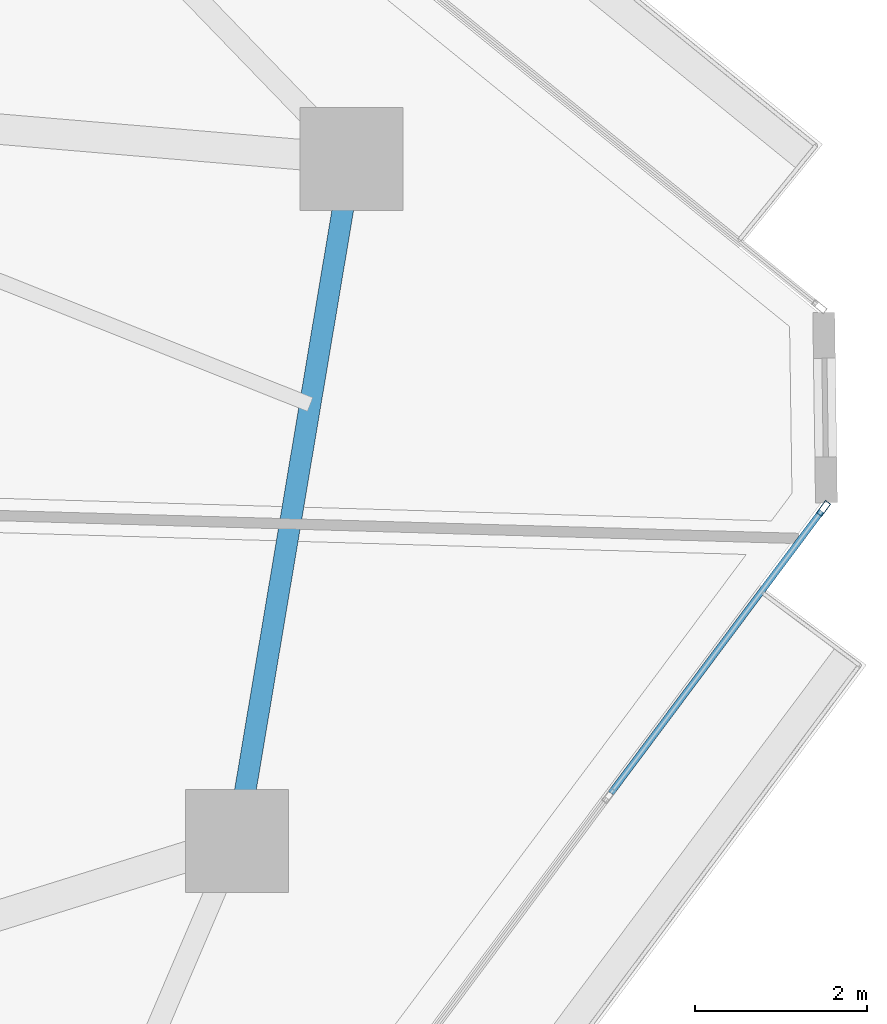
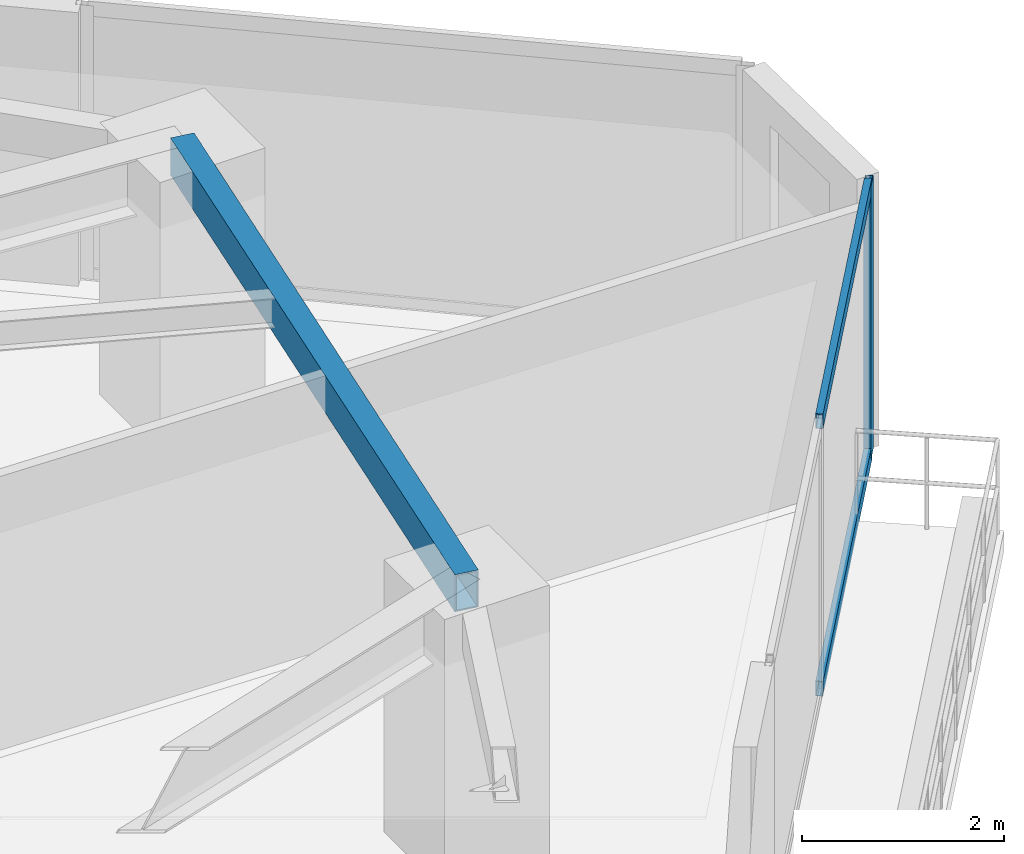
# One storey, part 12 of 23: 3 members, 1 beam, 1 element without a shape of its own.
"""IFC4 building model written with IfcOpenShell, lengths in metres."""

from ifc_helpers import new_model, si_unit, direction, frame, origin, origin_2d, place, context, subcontext, project, spatial, hollow_rectangle, extrude, source, transform, mapped, material, layer, layer_set, material_profile, profile_set, type_object, type_shapes, element, aggregate, save


model = new_model("IFC4")

# Units and contexts
model_context = context("Model", 3, precision=1e-05, world=origin(), true_north=direction((0.0, 1.0)))
body_context = subcontext(model_context, "Body", "Model", "MODEL_VIEW")
ifc_project = project(units=[si_unit("LENGTHUNIT", "METRE"), si_unit("AREAUNIT", "SQUARE_METRE"), si_unit("VOLUMEUNIT", "CUBIC_METRE"), si_unit("PLANEANGLEUNIT", "RADIAN"), si_unit("MASSUNIT", "GRAM", prefix="KILO")], contexts=[model_context])

# Site, building, storey
site_placement = place(None, origin())
site = spatial("IfcSite", under=ifc_project, at=site_placement, CompositionType="ELEMENT")
building_placement = place(site_placement, origin())
building = spatial("IfcBuilding", under=site, at=building_placement, Name="Talar Marvaseh", CompositionType="ELEMENT")
storey_placement = place(building_placement, frame((0.0, 0.0, 118.199951171875)))
storey = spatial("IfcBuildingStorey", under=building, at=storey_placement, Name="L30", CompositionType="ELEMENT", Elevation=118.199951171875)

# Beam
ifc_material_1 = material(Name="Steel S355", Category="steel")
ifc_material_profile_1 = material_profile(ifc_material_1, hollow_rectangle(XDim=0.25, YDim=0.449951171875, WallThickness=0.01611328125, at=origin_2d()), Name="RHS450x250x16")
ifc_profile_set_1 = profile_set([ifc_material_profile_1], Name="Steel S355")
beam_type = type_object("IfcBeamType", Name="Zone 2 Perimeter Spandrel Beam RHS450x250x16", PredefinedType="SPANDREL", material=ifc_profile_set_1)
beam_placement = place(storey_placement, frame((43.0439453125, 36.075927734375, 3.0849609375), z_axis=(-0.165641685249, -0.986186002795, 0.0), x_axis=(0.986186002795, -0.165641685249, 0.0)))
element("IfcBeam", 1, at=beam_placement, inside=storey, type_object=beam_type, Name="L30 Zone 2 Perimeter Spandrel Beam RHS450x250x16", PredefinedType="SPANDREL", context=body_context, shape_type="SweptSolid", body=[
    extrude(hollow_rectangle(XDim=0.25, YDim=0.449951171875, WallThickness=0.01611328125, at=origin_2d()), origin(), (0.0, 0.0, 1.0), 8.059326171875),
])

# Curtain wall, members
ifc_material_2 = material(Name="Architectural Aluminium", Category="aluminium")
ifc_layer = layer(ifc_material_2, 0.199951171875)
ifc_layer_set = layer_set([ifc_layer], Name="Architectural Aluminium")
curtain_wall_type = type_object("IfcCurtainWallType", Name="Unitised Acoustic Library Curtain Wall Z2", PredefinedType="NOTDEFINED", material=ifc_layer_set)
curtain_wall_placement = place(storey_placement, origin())
curtain_wall = element("IfcCurtainWall", 2, at=curtain_wall_placement, inside=storey, type_object=curtain_wall_type, Name="L30 Unitised Acoustic Library Curtain Wall Z2", PredefinedType="NOTDEFINED")
ifc_material_profile_2 = material_profile(ifc_material_2, hollow_rectangle(XDim=0.074951171875, YDim=0.179931640625, WallThickness=0.0048828125, at=origin_2d()), Name="RHS180x75x5")
ifc_profile_set_2 = profile_set([ifc_material_profile_2], Name="Architectural Aluminium")
member_type_1 = type_object("IfcMemberType", Name="Unitised Curtain Wall Standard Mullion RHS180x75x5", PredefinedType="MULLION", material=ifc_profile_set_2)
shared_shape_1 = source(origin(), body_context, "Body", "SweptSolid", [
    extrude(hollow_rectangle(XDim=0.074951171875, YDim=0.179931640625, WallThickness=0.0048828125, at=origin_2d()), origin(), (0.0, 0.0, 1.0), 3.31005859375),
])
type_shapes(member_type_1, [shared_shape_1])
member_1_placement = place(storey_placement, frame((48.544677734375, 32.003662109375, 0.0), z_axis=(0.0, 0.0, 1.0), x_axis=(0.801158521176, -0.598452190193, 0.0)))
member_1 = element("IfcMember", 3, at=member_1_placement, type_object=member_type_1, Name="CW-Z2 mullion 1", PredefinedType="MULLION", context=body_context, shape_type="MappedRepresentation", body=[
    mapped(shared_shape_1, transform((0.0, 0.0, 0.0), x_axis=(1.0, 0.0, 0.0), y_axis=(0.0, 1.0, 0.0), z_axis=(0.0, 0.0, 1.0), scale=1.0)),
])
ifc_material_profile_3 = material_profile(ifc_material_2, hollow_rectangle(XDim=0.074951171875, YDim=0.179931640625, WallThickness=0.0048828125, at=origin_2d()), Name="RHS180x75x5")
ifc_profile_set_3 = profile_set([ifc_material_profile_3], Name="Architectural Aluminium")
member_type_2 = type_object("IfcMemberType", Name="Unitised Curtain Wall Transom RHS180x75x5", PredefinedType="USERDEFINED", material=ifc_profile_set_3)
shared_shape_2 = source(origin(), body_context, "Body", "SweptSolid", [
    extrude(hollow_rectangle(XDim=0.074951171875, YDim=0.179931640625, WallThickness=0.0048828125, at=origin_2d()), origin(), (0.0, 0.0, 1.0), 4.102783203125),
])
type_shapes(member_type_2, [shared_shape_2])
member_2_placement = place(storey_placement, frame((48.522216796875, 31.9736328125, 0.03759765625), z_axis=(-0.598437457292, -0.801169526199, 0.0), x_axis=(0.801169526199, -0.598437457292, 0.0)))
member_2 = element("IfcMember", 4, at=member_2_placement, type_object=member_type_2, Name="CW-Z2 transom 1.1", ObjectType="TRANSOM", PredefinedType="USERDEFINED", context=body_context, shape_type="MappedRepresentation", body=[
    mapped(shared_shape_2, transform((0.0, 0.0, 0.0), x_axis=(1.0, 0.0, 0.0), y_axis=(0.0, 1.0, 0.0), z_axis=(0.0, 0.0, 1.0), scale=1.0)),
])
member_3_placement = place(storey_placement, frame((48.522216796875, 31.9736328125, 3.2724609375), z_axis=(-0.598437457292, -0.801169526199, 0.0), x_axis=(0.801169526199, -0.598437457292, 0.0)))
member_3 = element("IfcMember", 5, at=member_3_placement, type_object=member_type_2, Name="CW-Z2 transom 1.2", ObjectType="TRANSOM", PredefinedType="USERDEFINED", context=body_context, shape_type="MappedRepresentation", body=[
    mapped(shared_shape_2, transform((0.0, 0.0, 0.0), x_axis=(1.0, 0.0, 0.0), y_axis=(0.0, 1.0, 0.0), z_axis=(0.0, 0.0, 1.0), scale=1.0)),
])
aggregate(curtain_wall, [member_1, member_2, member_3])

save(model, "model.ifc")
